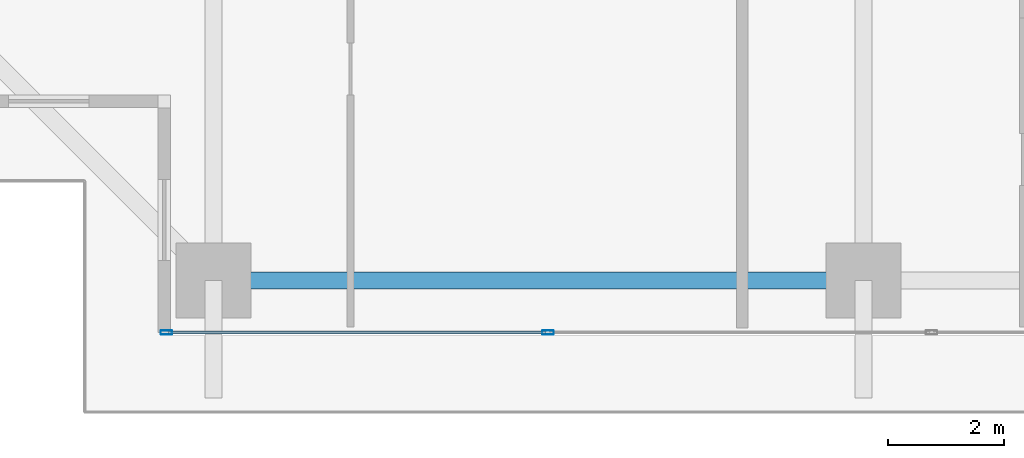
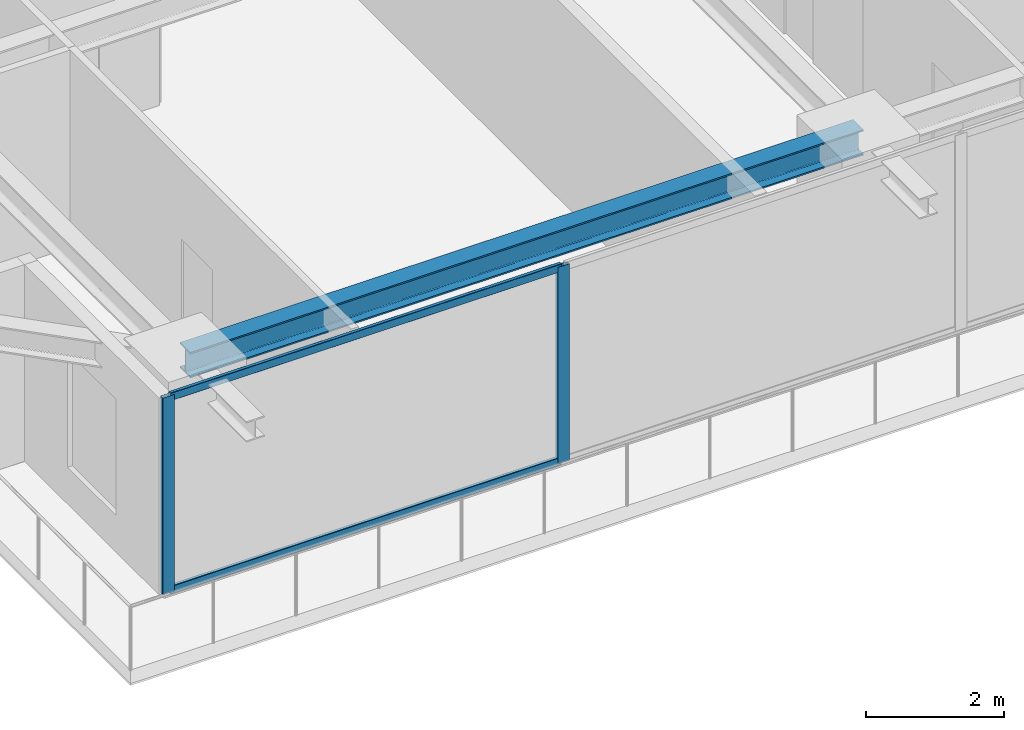
# One storey, part 2 of 33: 4 members, 1 beam, 1 element without a shape of its own.
"""IFC4 building model written with IfcOpenShell, lengths in metres."""

from ifc_helpers import new_model, si_unit, direction, frame, origin, origin_2d, place, context, subcontext, project, spatial, hollow_rectangle, i_section, extrude, source, transform, mapped, material, layer, layer_set, material_profile, profile_set, type_object, element, aggregate, save


model = new_model("IFC4")

# Units and contexts
model_context = context("Model", 3, precision=1e-05, world=origin(), true_north=direction((0.0, 1.0)))
body_context = subcontext(model_context, "Body", "Model", "MODEL_VIEW")
ifc_project = project(units=[si_unit("LENGTHUNIT", "METRE"), si_unit("AREAUNIT", "SQUARE_METRE"), si_unit("VOLUMEUNIT", "CUBIC_METRE"), si_unit("PLANEANGLEUNIT", "RADIAN"), si_unit("MASSUNIT", "GRAM", prefix="KILO")], contexts=[model_context])

# Site, building, storey
site_placement = place(None, origin())
site = spatial("IfcSite", under=ifc_project, at=site_placement, CompositionType="ELEMENT")
building_placement = place(site_placement, origin())
building = spatial("IfcBuilding", under=site, at=building_placement, Name="Serunith Strait Residences", CompositionType="ELEMENT")
storey_placement = place(building_placement, frame((0.0, 0.0, 165.14990234375)))
storey = spatial("IfcBuildingStorey", under=building, at=storey_placement, Name="L41", CompositionType="ELEMENT", Elevation=165.14990234375)

# Beam
ifc_material_1 = material(Name="Steel S355J2", Category="steel")
ifc_material_profile_1 = material_profile(ifc_material_1, i_section(OverallWidth=0.300048828125, OverallDepth=0.449951171875, WebThickness=0.013916015625, FlangeThickness=0.02587890625, FilletRadius=0.027099609375, at=origin_2d()), Name="HEB 450")
ifc_profile_set_1 = profile_set([ifc_material_profile_1], Name="Steel S355J2")
beam_type = type_object("IfcBeamType", Name="BM-HEB450", PredefinedType="BEAM", material=ifc_profile_set_1)
shared_shape_1 = source(origin(), body_context, "Body", "SweptSolid", [
    extrude(i_section(OverallWidth=0.300048828125, OverallDepth=0.449951171875, WebThickness=0.013916015625, FlangeThickness=0.02587890625, FilletRadius=0.027099609375, at=origin_2d()), origin(), (0.0, 0.0, 1.0), 11.25),
])
beam_placement = place(storey_placement, frame((16.64990234375, 2.300048828125, 3.26220703125), z_axis=(1.0, 0.0, 0.0), x_axis=(0.0, 1.0, 0.0)))
element("IfcBeam", 1, at=beam_placement, inside=storey, type_object=beam_type, Name="L41 Perimeter Ring Beam 01", PredefinedType="BEAM", context=body_context, shape_type="MappedRepresentation", body=[
    mapped(shared_shape_1, transform((0.0, 0.0, 0.0), scale=1.0)),
])

# Curtain wall, members
ifc_material_2 = material(Name="Pale-Champagne Anodised Aluminium", Category="aluminium")
ifc_layer = layer(ifc_material_2, 0.199951171875, Name="Pale-Champagne Anodised Aluminium")
ifc_layer_set = layer_set([ifc_layer], Name="Pale-Champagne Anodised Aluminium")
curtain_wall_type = type_object("IfcCurtainWallType", Name="CW-SYS2", PredefinedType="NOTDEFINED", material=ifc_layer_set)
curtain_wall_placement = place(storey_placement, origin())
curtain_wall = element("IfcCurtainWall", 2, at=curtain_wall_placement, inside=storey, type_object=curtain_wall_type, Name="L41 S Unitised Fritted Curtain Wall", PredefinedType="NOTDEFINED")
ifc_material_profile_2 = material_profile(ifc_material_2, hollow_rectangle(XDim=0.070068359375, YDim=0.199951171875, WallThickness=0.00390625, InnerFilletRadius=0.006103515625, OuterFilletRadius=0.010009765625, at=origin_2d()), Name="ALU 200x70x4")
ifc_profile_set_2 = profile_set([ifc_material_profile_2], Name="Pale-Champagne Anodised Aluminium")
member_type_1 = type_object("IfcMemberType", Name="CW-SYS2-MULL", PredefinedType="MULLION", material=ifc_profile_set_2)
shared_shape_2 = source(origin(), body_context, "Body", "SweptSolid", [
    extrude(hollow_rectangle(XDim=0.070068359375, YDim=0.199951171875, WallThickness=0.00390625, InnerFilletRadius=0.006103515625, OuterFilletRadius=0.010009765625, at=origin_2d()), origin(), (0.0, 0.0, 1.0), 3.47509765625),
])
member_1_placement = place(storey_placement, frame((15.8349609375, 1.39990234375, 0.0), z_axis=(0.0, 0.0, 1.0), x_axis=(0.0, 1.0, 0.0)))
member_1 = element("IfcMember", 3, at=member_1_placement, type_object=member_type_1, Name="CW-2 mullion 1", PredefinedType="MULLION", context=body_context, shape_type="MappedRepresentation", body=[
    mapped(shared_shape_2, transform((0.0, 0.0, 0.0), scale=1.0)),
])
member_2_placement = place(storey_placement, frame((22.43994140625, 1.39990234375, 0.0), z_axis=(0.0, 0.0, 1.0), x_axis=(0.0, 1.0, 0.0)))
member_2 = element("IfcMember", 4, at=member_2_placement, type_object=member_type_1, Name="CW-2 mullion 2", PredefinedType="MULLION", context=body_context, shape_type="MappedRepresentation", body=[
    mapped(shared_shape_2, transform((0.0, 0.0, 0.0), scale=1.0)),
])
ifc_material_profile_3 = material_profile(ifc_material_2, hollow_rectangle(XDim=0.06005859375, YDim=0.139892578125, WallThickness=0.00341796875, InnerFilletRadius=0.00537109375, OuterFilletRadius=0.0087890625, at=origin_2d()), Name="ALU 140x60x3.5")
ifc_profile_set_3 = profile_set([ifc_material_profile_3], Name="Pale-Champagne Anodised Aluminium")
member_type_2 = type_object("IfcMemberType", Name="CW-SYS2-TRAN", PredefinedType="USERDEFINED", material=ifc_profile_set_3)
shared_shape_3 = source(origin(), body_context, "Body", "SweptSolid", [
    extrude(hollow_rectangle(XDim=0.06005859375, YDim=0.139892578125, WallThickness=0.00341796875, InnerFilletRadius=0.00537109375, OuterFilletRadius=0.0087890625, at=origin_2d()), origin(), (0.0, 0.0, 1.0), 6.534912109375),
])
member_3_placement = place(storey_placement, frame((15.8701171875, 1.39990234375, 0.030029296875), z_axis=(1.0, 0.0, 0.0), x_axis=(0.0, 1.0, 0.0)))
member_3 = element("IfcMember", 5, at=member_3_placement, type_object=member_type_2, Name="CW-2 transom 1.1", ObjectType="TRANSOM", PredefinedType="USERDEFINED", context=body_context, shape_type="MappedRepresentation", body=[
    mapped(shared_shape_3, transform((0.0, 0.0, 0.0), scale=1.0)),
])
member_4_placement = place(storey_placement, frame((15.8701171875, 1.39990234375, 3.445068359375), z_axis=(1.0, 0.0, 0.0), x_axis=(0.0, 1.0, 0.0)))
member_4 = element("IfcMember", 6, at=member_4_placement, type_object=member_type_2, Name="CW-2 transom 1.2", ObjectType="TRANSOM", PredefinedType="USERDEFINED", context=body_context, shape_type="MappedRepresentation", body=[
    mapped(shared_shape_3, transform((0.0, 0.0, 0.0), scale=1.0)),
])
aggregate(curtain_wall, [member_1, member_2, member_3, member_4])

save(model, "model.ifc")
